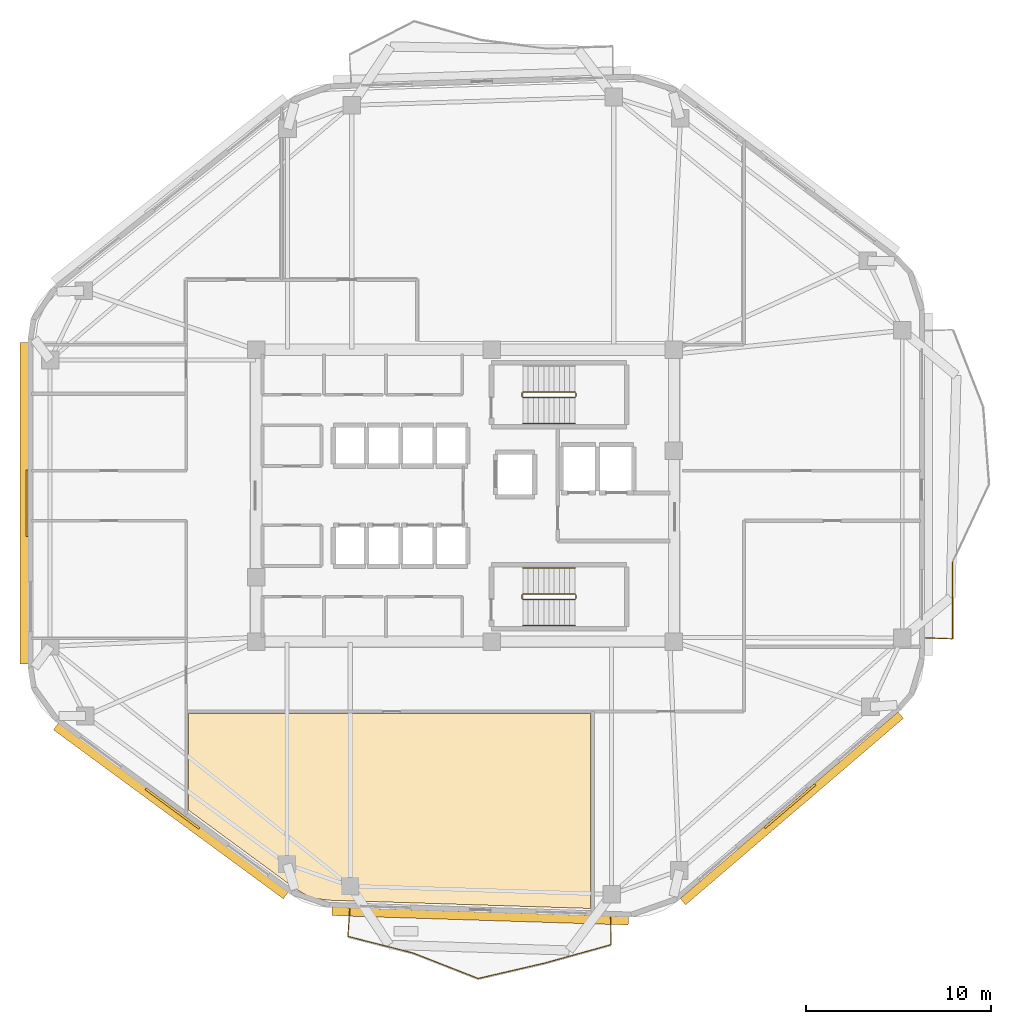
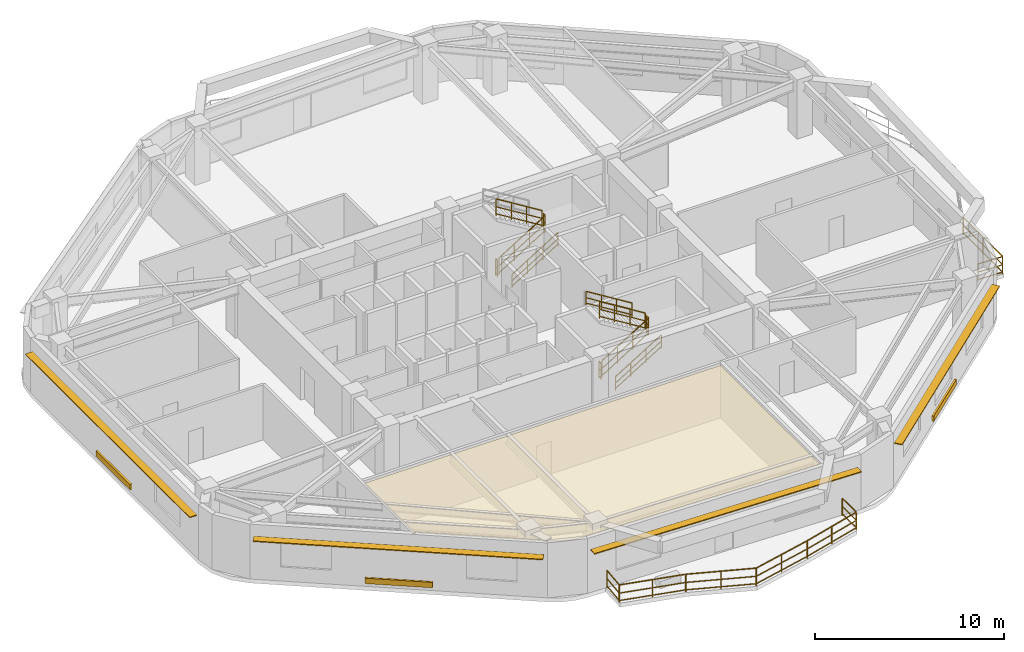
# One storey, part 7 of 8: 19 railings, 7 shading devices, 1 covering.
"""IFC4 building model written with IfcOpenShell, lengths in metres."""

import ifcopenshell
import ifcopenshell.guid

model = None  # the IFC model being written
_history = None  # IfcOwnerHistory: only IFC2X3 demands one
_inside = {}  # id of a spatial element -> (the spatial element, [elements in it])
_under = {}  # id of a project, library or spatial element -> (it, [spatial elements below it])
_declared = {}  # id of a project -> (the project, [libraries it declares])
_typed = {}  # id of a type object -> (the type object, [elements of that type])
_made_of = {}  # id of a material, layer set ... -> (it, [elements and type objects made of it])


def new_model(schema):
    """Start an empty IFC model of exactly this schema.

    Asked for "IFC4X3", IfcOpenShell would pick the latest addendum, in which some entities
    have other attributes; the version numbers below select the first issue.
    IFC2X3 requires an IfcOwnerHistory on every rooted entity: one is made here for all.
    """
    global model, _history
    if schema == "IFC4X3":
        model = ifcopenshell.file(schema_version=(4, 3, 0, 0))
    else:
        model = ifcopenshell.file(schema=schema)
    _inside.clear()
    _under.clear()
    _declared.clear()
    _typed.clear()
    _made_of.clear()
    _history = None
    if model.schema == "IFC2X3":
        org = make("IfcOrganization", Name="unknown")
        user = make(
            "IfcPersonAndOrganization",
            ThePerson=make("IfcPerson", FamilyName="unknown"),
            TheOrganization=org,
        )
        app = make(
            "IfcApplication",
            ApplicationDeveloper=org,
            Version="unknown",
            ApplicationFullName="unknown",
            ApplicationIdentifier="unknown",
        )
        _history = make(
            "IfcOwnerHistory",
            OwningUser=user,
            OwningApplication=app,
            ChangeAction="ADDED",
            CreationDate=0,
        )
    return model


def make(cls, **values):
    """One entity of the class cls with the attributes given. An attribute that is None is left unset."""
    return model.create_entity(
        cls, **{name: value for name, value in values.items() if value is not None}
    )


def rooted(cls, **values):
    """An entity with a GlobalId (a new one), such as an element, a storey or a relation."""
    return make(cls, GlobalId=ifcopenshell.guid.new(), OwnerHistory=_history, **values)


def si_unit(unit_type, name, prefix=None):
    """IfcSIUnit, for example si_unit("LENGTHUNIT", "METRE", prefix="MILLI")."""
    return make("IfcSIUnit", UnitType=unit_type, Prefix=prefix, Name=name)


def assignment(units):
    """IfcUnitAssignment: the units of a project."""
    return None if units is None else make("IfcUnitAssignment", Units=units)


def point(xyz):
    """IfcCartesianPoint."""
    return None if xyz is None else make("IfcCartesianPoint", Coordinates=xyz)


def direction(xyz):
    """IfcDirection."""
    return None if xyz is None else make("IfcDirection", DirectionRatios=xyz)


def frame(location, z_axis=None, x_axis=None):
    """IfcAxis2Placement3D, a coordinate frame: its origin and axes. An axis left out is left unset."""
    return make(
        "IfcAxis2Placement3D",
        Location=point(location),
        Axis=direction(z_axis),
        RefDirection=direction(x_axis),
    )


def frame_2d(location, x_axis=None):
    """IfcAxis2Placement2D, a coordinate frame in the plane: its origin and x axis."""
    return make(
        "IfcAxis2Placement2D", Location=point(location), RefDirection=direction(x_axis)
    )


def origin():
    """The frame at (0, 0, 0) with its axes left unset."""
    return frame((0.0, 0.0, 0.0))


def origin_2d():
    """The frame at (0, 0) in the plane with its x axis left unset."""
    return frame_2d((0.0, 0.0))


def place(relative_to, where):
    """IfcLocalPlacement: puts the frame where relative to a parent placement (None: the world)."""
    return make(
        "IfcLocalPlacement", PlacementRelTo=relative_to, RelativePlacement=where
    )


def context(
    kind, dimensions, precision=None, world=None, true_north=None, identifier=None
):
    """IfcGeometricRepresentationContext, for example the 3D "Model" context."""
    return make(
        "IfcGeometricRepresentationContext",
        ContextIdentifier=identifier,
        ContextType=kind,
        CoordinateSpaceDimension=dimensions,
        Precision=precision,
        WorldCoordinateSystem=world,
        TrueNorth=true_north,
    )


def subcontext(parent, identifier, kind, view, scale=None):
    """IfcGeometricRepresentationSubContext, for example "Body" below "Model"."""
    return make(
        "IfcGeometricRepresentationSubContext",
        ContextIdentifier=identifier,
        ContextType=kind,
        ParentContext=parent,
        TargetScale=scale,
        TargetView=view,
    )


def project(units=None, contexts=None):
    """IfcProject with its units and contexts."""
    return rooted(
        "IfcProject",
        Name="project",
        RepresentationContexts=contexts,
        UnitsInContext=assignment(units),
    )


def spatial(cls, under=None, at=None, **own):
    """A site, building, storey or space (cls), placed at a placement, below another one or the project."""
    s = rooted(cls, ObjectPlacement=at, **own)
    if under is not None:
        _under.setdefault(under.id(), (under, []))[1].append(s)
    return s


def polyline(points):
    """IfcPolyline through the points."""
    return make("IfcPolyline", Points=[point(p) for p in points])


def profile(cls, at=None, kind="AREA", **sizes):
    """A parametric profile (cls). Its sizes go by their IFC names, for example OverallWidth=200.0."""
    return make(cls, ProfileType=kind, Position=at, **sizes)


def rectangle(**sizes):
    """IfcRectangleProfileDef."""
    return profile("IfcRectangleProfileDef", **sizes)


def outline(outer, holes=None, kind="AREA"):
    """IfcArbitraryClosedProfileDef: a profile drawn as a closed curve; with holes, ...WithVoids."""
    if holes is None:
        return make("IfcArbitraryClosedProfileDef", ProfileType=kind, OuterCurve=outer)
    return make(
        "IfcArbitraryProfileDefWithVoids",
        ProfileType=kind,
        OuterCurve=outer,
        InnerCurves=holes,
    )


def extrude(swept, where, along, depth):
    """IfcExtrudedAreaSolid: the profile swept, set in the frame where, extruded along a direction by depth."""
    return make(
        "IfcExtrudedAreaSolid",
        SweptArea=swept,
        Position=where,
        ExtrudedDirection=direction(along),
        Depth=depth,
    )


def shape(context_of_items, identifier, shape_type, items):
    """IfcShapeRepresentation: the items that make up one representation, for example the "Body"."""
    return make(
        "IfcShapeRepresentation",
        ContextOfItems=context_of_items,
        RepresentationIdentifier=identifier,
        RepresentationType=shape_type,
        Items=items,
    )


def material(Name=None, Category=None):
    """IfcMaterial."""
    return make("IfcMaterial", Name=Name, Category=Category)


def layer(
    of_material, thickness, ventilated=None, Name=None, Category=None, Priority=None
):
    """IfcMaterialLayer: one layer of a wall or slab, of a material (None: an air gap)."""
    return make(
        "IfcMaterialLayer",
        Material=of_material,
        LayerThickness=thickness,
        IsVentilated=ventilated,
        Name=Name,
        Category=Category,
        Priority=Priority,
    )


def layer_set(layers, Name=None):
    """IfcMaterialLayerSet."""
    return make("IfcMaterialLayerSet", MaterialLayers=layers, LayerSetName=Name)


def made_of(thing, what):
    """Note that an element or type object is made of a material, layer set ...; save() writes the relation."""
    if what is not None:
        _made_of.setdefault(what.id(), (what, []))[1].append(thing)
    return thing


def type_object(cls, material=None, **own):
    """A type object (cls), such as IfcWallType, which elements share."""
    return made_of(rooted(cls, **own), material)


def element(
    cls,
    number,
    at=None,
    inside=None,
    cuts=None,
    type_object=None,
    material=None,
    context=None,
    identifier="Body",
    shape_type=None,
    held_by="IfcProductDefinitionShape",
    body=None,
    shapes=None,
    **own,
):
    """One element of the class cls, such as IfcWall. Its Tag is "e" and its number.

    at: its placement. inside: the storey or other place that contains it. cuts: it is an
    opening in that element (IfcRelVoidsElement). A single representation is given by context,
    identifier, shape_type and body (its items); several are given by shapes. held_by: the class
    of the entity that holds the representations. save() writes the other relations.
    """
    e = rooted(cls, Tag="e%d" % number, ObjectPlacement=at, **own)
    if body is not None:
        shapes = [shape(context, identifier, shape_type, body)]
    if shapes is not None:
        e.Representation = make(held_by, Representations=shapes)
    if inside is not None:
        _inside.setdefault(inside.id(), (inside, []))[1].append(e)
    if cuts is not None:
        rooted(
            "IfcRelVoidsElement", RelatingBuildingElement=cuts, RelatedOpeningElement=e
        )
    if type_object is not None:
        _typed.setdefault(type_object.id(), (type_object, []))[1].append(e)
    return made_of(e, material)


def aggregate(whole, parts):
    """IfcRelAggregates: a whole, such as a stair, and the parts it consists of."""
    return rooted("IfcRelAggregates", RelatingObject=whole, RelatedObjects=parts)


def save(model, path):
    """Write the relations noted so far, then the file.

    IfcRelAggregates (storeys below a building ...), IfcRelContainedInSpatialStructure (elements
    in a storey), IfcRelDefinesByType, IfcRelAssociatesMaterial and IfcRelDeclares: one each for
    every whole, place, type object, material and project.
    """
    for whole, parts in _under.values():
        aggregate(whole, parts)
    for where, things in _inside.values():
        rooted(
            "IfcRelContainedInSpatialStructure",
            RelatedElements=things,
            RelatingStructure=where,
        )
    for kind, things in _typed.values():
        rooted("IfcRelDefinesByType", RelatedObjects=things, RelatingType=kind)
    for what, things in _made_of.values():
        rooted("IfcRelAssociatesMaterial", RelatedObjects=things, RelatingMaterial=what)
    for by, libraries in _declared.values():
        rooted("IfcRelDeclares", RelatingContext=by, RelatedDefinitions=libraries)
    model.write(path)


model = new_model("IFC4")

# Units and contexts
model_context = context("Model", 3, precision=1e-05, world=origin(), true_north=direction((0.0, 1.0)))
body_context = subcontext(model_context, "Body", "Model", "MODEL_VIEW")
ifc_project = project(units=[si_unit("LENGTHUNIT", "METRE"), si_unit("AREAUNIT", "SQUARE_METRE"), si_unit("VOLUMEUNIT", "CUBIC_METRE"), si_unit("PLANEANGLEUNIT", "RADIAN"), si_unit("MASSUNIT", "GRAM", prefix="KILO")], contexts=[model_context])

# Site, building, storey
site_placement = place(None, origin())
site = spatial("IfcSite", under=ifc_project, at=site_placement, CompositionType="ELEMENT")
building_placement = place(site_placement, origin())
building = spatial("IfcBuilding", under=site, at=building_placement, Name="Zulverin Broadcast Headquarters", CompositionType="ELEMENT")
storey_placement = place(building_placement, frame((0.0, 0.0, 163.0)))
storey = spatial("IfcBuildingStorey", under=building, at=storey_placement, Name="L41", CompositionType="ELEMENT", Elevation=163.0)

# Covering
ifc_material_1 = material(Name="Perforated pale-metal acoustic baffle ceiling", Category="aluminium")
ifc_layer_1 = layer(ifc_material_1, 0.0400390625, Name="Perforated pale-metal acoustic baffle ceiling", Category="aluminium")
ifc_layer_set_1 = layer_set([ifc_layer_1], Name="Perforated pale-metal acoustic baffle ceiling")
covering_type = type_object("IfcCoveringType", Name="COV-CEIL-ACOU", PredefinedType="CEILING", material=ifc_layer_set_1)
covering_placement = place(storey_placement, frame((0.0, 0.0, 3.360107421875)))
element("IfcCovering", 1, at=covering_placement, inside=storey, type_object=covering_type, Name="L41 Acoustic Baffle Ceiling 03", PredefinedType="CEILING", context=body_context, shape_type="SweptSolid", body=[
    extrude(outline(polyline([(28.39599609375, 3.659912109375), (29.0, 3.447998046875), (29.652099609375, 3.364013671875), (43.780029296875, 2.916015625), (43.780029296875, 13.431884765625), (22.072021484375, 13.431884765625), (22.072021484375, 8.22412109375), (27.823974609375, 3.99609375), (28.39599609375, 3.659912109375)])), origin(), (0.0, 0.0, 1.0), 0.039794921875),
])

# Railings
ifc_material_2 = material(Name="Brushed stainless steel & laminated glass balustrade", Category="steel")
railing_type_1 = type_object("IfcRailingType", Name="RL-GUARD-1150", PredefinedType="GUARDRAIL", material=ifc_material_2)
railing_1_placement = place(storey_placement, frame((61.840087890625, 17.529296875, 0.0)))
element("IfcRailing", 2, at=railing_1_placement, inside=storey, type_object=railing_type_1, Name="L41 Vertical-Forest Balcony Guardrail BAL_E Segment 01", PredefinedType="GUARDRAIL", context=body_context, shape_type="SweptSolid", body=[
    extrude(rectangle(XDim=0.048095703125, YDim=0.048095703125, at=origin_2d()), frame((0.0, 0.0, 1.1259765625), z_axis=(0.99918088253, -0.040466825742, 0.0), x_axis=(0.040466825742, 0.99918088253, 0.0)), (0.0, 0.0, 1.0), 1.466064453125),
    extrude(rectangle(XDim=0.0419921875, YDim=0.0419921875, at=origin_2d()), frame((0.0, 0.0, 0.597900390625), z_axis=(0.99918088253, -0.040466825742, 0.0), x_axis=(0.040466825742, 0.99918088253, 0.0)), (0.0, 0.0, 1.0), 1.466064453125),
    extrude(rectangle(XDim=0.0419921875, YDim=0.0419921875, at=origin_2d()), frame((0.0, 0.0, 0.1201171875), z_axis=(0.99918088253, -0.040466825742, 0.0), x_axis=(0.040466825742, 0.99918088253, 0.0)), (0.0, 0.0, 1.0), 1.466064453125),
    extrude(rectangle(XDim=0.0419921875, YDim=0.0419921875, at=origin_2d()), origin(), (0.0, 0.0, 1.0), 1.101806640625),
    extrude(rectangle(XDim=0.0419921875, YDim=0.0419921875, at=origin_2d()), frame((1.46484375, -0.059326171875, 0.0)), (0.0, 0.0, 1.0), 1.101806640625),
])
railing_2_placement = place(storey_placement, frame((63.320068359375, 17.484375, 0.0)))
element("IfcRailing", 3, at=railing_2_placement, inside=storey, type_object=railing_type_1, Name="L41 Vertical-Forest Balcony Guardrail BAL_E Segment 02", PredefinedType="GUARDRAIL", context=body_context, shape_type="SweptSolid", body=[
    extrude(rectangle(XDim=0.048095703125, YDim=0.048095703125, at=origin_2d()), frame((0.0, 0.0, 1.1259765625), z_axis=(0.0, 1.0, 0.0), x_axis=(-1.0, 0.0, 0.0)), (0.0, 0.0, 1.0), 4.1455078125),
    extrude(rectangle(XDim=0.0419921875, YDim=0.0419921875, at=origin_2d()), frame((0.0, 0.0, 0.597900390625), z_axis=(0.0, 1.0, 0.0), x_axis=(-1.0, 0.0, 0.0)), (0.0, 0.0, 1.0), 4.1455078125),
    extrude(rectangle(XDim=0.0419921875, YDim=0.0419921875, at=origin_2d()), frame((0.0, 0.0, 0.1201171875), z_axis=(0.0, 1.0, 0.0), x_axis=(-1.0, 0.0, 0.0)), (0.0, 0.0, 1.0), 4.1455078125),
    extrude(rectangle(XDim=0.0419921875, YDim=0.0419921875, at=origin_2d()), origin(), (0.0, 0.0, 1.0), 1.101806640625),
    extrude(rectangle(XDim=0.0419921875, YDim=0.0419921875, at=origin_2d()), frame((0.0, 2.07275390625, 0.0)), (0.0, 0.0, 1.0), 1.101806640625),
    extrude(rectangle(XDim=0.0419921875, YDim=0.0419921875, at=origin_2d()), frame((0.0, 4.1455078125, 0.0)), (0.0, 0.0, 1.0), 1.101806640625),
])
railing_3_placement = place(storey_placement, frame((30.779296875, 2.8876953125, 0.0)))
element("IfcRailing", 4, at=railing_3_placement, inside=storey, type_object=railing_type_1, Name="L41 Vertical-Forest Balcony Guardrail BAL_S Segment 01", PredefinedType="GUARDRAIL", context=body_context, shape_type="SweptSolid", body=[
    extrude(rectangle(XDim=0.048095703125, YDim=0.048095703125, at=origin_2d()), frame((0.0, 0.0, 1.1259765625), z_axis=(-0.072276661537, -0.997384621997, 0.0), x_axis=(0.997384621997, -0.072276661537, 0.0)), (0.0, 0.0, 1.0), 1.466064453125),
    extrude(rectangle(XDim=0.0419921875, YDim=0.0419921875, at=origin_2d()), frame((0.0, 0.0, 0.597900390625), z_axis=(-0.072276661537, -0.997384621997, 0.0), x_axis=(0.997384621997, -0.072276661537, 0.0)), (0.0, 0.0, 1.0), 1.466064453125),
    extrude(rectangle(XDim=0.0419921875, YDim=0.0419921875, at=origin_2d()), frame((0.0, 0.0, 0.1201171875), z_axis=(-0.072276661537, -0.997384621997, 0.0), x_axis=(0.997384621997, -0.072276661537, 0.0)), (0.0, 0.0, 1.0), 1.466064453125),
    extrude(rectangle(XDim=0.0419921875, YDim=0.0419921875, at=origin_2d()), origin(), (0.0, 0.0, 1.0), 1.101806640625),
    extrude(rectangle(XDim=0.0419921875, YDim=0.0419921875, at=origin_2d()), frame((-0.10595703125, -1.462158203125, 0.0)), (0.0, 0.0, 1.0), 1.101806640625),
])
railing_4_placement = place(storey_placement, frame((30.686767578125, 1.40673828125, 0.0)))
element("IfcRailing", 5, at=railing_4_placement, inside=storey, type_object=railing_type_1, Name="L41 Vertical-Forest Balcony Guardrail BAL_S Segment 02", PredefinedType="GUARDRAIL", context=body_context, shape_type="SweptSolid", body=[
    extrude(rectangle(XDim=0.048095703125, YDim=0.048095703125, at=origin_2d()), frame((0.0, 0.0, 1.1259765625), z_axis=(0.968892172976, -0.247483246194, 0.0), x_axis=(0.247483246194, 0.968892172976, 0.0)), (0.0, 0.0, 1.0), 3.608642578125),
    extrude(rectangle(XDim=0.0419921875, YDim=0.0419921875, at=origin_2d()), frame((0.0, 0.0, 0.597900390625), z_axis=(0.968892172976, -0.247483246194, 0.0), x_axis=(0.247483246194, 0.968892172976, 0.0)), (0.0, 0.0, 1.0), 3.608642578125),
    extrude(rectangle(XDim=0.0419921875, YDim=0.0419921875, at=origin_2d()), frame((0.0, 0.0, 0.1201171875), z_axis=(0.968892172976, -0.247483246194, 0.0), x_axis=(0.247483246194, 0.968892172976, 0.0)), (0.0, 0.0, 1.0), 3.608642578125),
    extrude(rectangle(XDim=0.0419921875, YDim=0.0419921875, at=origin_2d()), origin(), (0.0, 0.0, 1.0), 1.101806640625),
    extrude(rectangle(XDim=0.0419921875, YDim=0.0419921875, at=origin_2d()), frame((1.748046875, -0.446533203125, 0.0)), (0.0, 0.0, 1.0), 1.101806640625),
    extrude(rectangle(XDim=0.0419921875, YDim=0.0419921875, at=origin_2d()), frame((3.496337890625, -0.89306640625, 0.0)), (0.0, 0.0, 1.0), 1.101806640625),
])
railing_5_placement = place(storey_placement, frame((34.211669921875, 0.50439453125, 0.0)))
element("IfcRailing", 6, at=railing_5_placement, inside=storey, type_object=railing_type_1, Name="L41 Vertical-Forest Balcony Guardrail BAL_S Segment 03", PredefinedType="GUARDRAIL", context=body_context, shape_type="SweptSolid", body=[
    extrude(rectangle(XDim=0.048095703125, YDim=0.048095703125, at=origin_2d()), frame((0.0, 0.0, 1.1259765625), z_axis=(0.931246632898, -0.364389501381, 0.0), x_axis=(0.364389501381, 0.931246632898, 0.0)), (0.0, 0.0, 1.0), 3.7392578125),
    extrude(rectangle(XDim=0.0419921875, YDim=0.0419921875, at=origin_2d()), frame((0.0, 0.0, 0.597900390625), z_axis=(0.931246632898, -0.364389501381, 0.0), x_axis=(0.364389501381, 0.931246632898, 0.0)), (0.0, 0.0, 1.0), 3.7392578125),
    extrude(rectangle(XDim=0.0419921875, YDim=0.0419921875, at=origin_2d()), frame((0.0, 0.0, 0.1201171875), z_axis=(0.931246632898, -0.364389501381, 0.0), x_axis=(0.364389501381, 0.931246632898, 0.0)), (0.0, 0.0, 1.0), 3.7392578125),
    extrude(rectangle(XDim=0.0419921875, YDim=0.0419921875, at=origin_2d()), origin(), (0.0, 0.0, 1.0), 1.101806640625),
    extrude(rectangle(XDim=0.0419921875, YDim=0.0419921875, at=origin_2d()), frame((1.7412109375, -0.68115234375, 0.0)), (0.0, 0.0, 1.0), 1.101806640625),
    extrude(rectangle(XDim=0.0419921875, YDim=0.0419921875, at=origin_2d()), frame((3.482177734375, -1.362548828125, 0.0)), (0.0, 0.0, 1.0), 1.101806640625),
])
railing_6_placement = place(storey_placement, frame((37.722412109375, -0.8603515625, 0.0)))
element("IfcRailing", 7, at=railing_6_placement, inside=storey, type_object=railing_type_1, Name="L41 Vertical-Forest Balcony Guardrail BAL_S Segment 04", PredefinedType="GUARDRAIL", context=body_context, shape_type="SweptSolid", body=[
    extrude(rectangle(XDim=0.048095703125, YDim=0.048095703125, at=origin_2d()), frame((0.0, 0.0, 1.1259765625), z_axis=(0.974134331739, 0.225969696479, 0.0), x_axis=(-0.225969696479, 0.974134331739, 0.0)), (0.0, 0.0, 1.0), 3.645263671875),
    extrude(rectangle(XDim=0.0419921875, YDim=0.0419921875, at=origin_2d()), frame((0.0, 0.0, 0.597900390625), z_axis=(0.974134331739, 0.225969696479, 0.0), x_axis=(-0.225969696479, 0.974134331739, 0.0)), (0.0, 0.0, 1.0), 3.645263671875),
    extrude(rectangle(XDim=0.0419921875, YDim=0.0419921875, at=origin_2d()), frame((0.0, 0.0, 0.1201171875), z_axis=(0.974134331739, 0.225969696479, 0.0), x_axis=(-0.225969696479, 0.974134331739, 0.0)), (0.0, 0.0, 1.0), 3.645263671875),
    extrude(rectangle(XDim=0.0419921875, YDim=0.0419921875, at=origin_2d()), origin(), (0.0, 0.0, 1.0), 1.101806640625),
    extrude(rectangle(XDim=0.0419921875, YDim=0.0419921875, at=origin_2d()), frame((1.775390625, 0.411865234375, 0.0)), (0.0, 0.0, 1.0), 1.101806640625),
    extrude(rectangle(XDim=0.0419921875, YDim=0.0419921875, at=origin_2d()), frame((3.551025390625, 0.82373046875, 0.0)), (0.0, 0.0, 1.0), 1.101806640625),
])
railing_7_placement = place(storey_placement, frame((41.302490234375, -0.029296875, 0.0)))
element("IfcRailing", 8, at=railing_7_placement, inside=storey, type_object=railing_type_1, Name="L41 Vertical-Forest Balcony Guardrail BAL_S Segment 05", PredefinedType="GUARDRAIL", context=body_context, shape_type="SweptSolid", body=[
    extrude(rectangle(XDim=0.048095703125, YDim=0.048095703125, at=origin_2d()), frame((0.0, 0.0, 1.1259765625), z_axis=(0.963694935876, 0.267005750065, 0.0), x_axis=(-0.267005750065, 0.963694935876, 0.0)), (0.0, 0.0, 1.0), 3.6904296875),
    extrude(rectangle(XDim=0.0419921875, YDim=0.0419921875, at=origin_2d()), frame((0.0, 0.0, 0.597900390625), z_axis=(0.963694935876, 0.267005750065, 0.0), x_axis=(-0.267005750065, 0.963694935876, 0.0)), (0.0, 0.0, 1.0), 3.6904296875),
    extrude(rectangle(XDim=0.0419921875, YDim=0.0419921875, at=origin_2d()), frame((0.0, 0.0, 0.1201171875), z_axis=(0.963694935876, 0.267005750065, 0.0), x_axis=(-0.267005750065, 0.963694935876, 0.0)), (0.0, 0.0, 1.0), 3.6904296875),
    extrude(rectangle(XDim=0.0419921875, YDim=0.0419921875, at=origin_2d()), origin(), (0.0, 0.0, 1.0), 1.101806640625),
    extrude(rectangle(XDim=0.0419921875, YDim=0.0419921875, at=origin_2d()), frame((1.7783203125, 0.49267578125, 0.0)), (0.0, 0.0, 1.0), 1.101806640625),
    extrude(rectangle(XDim=0.0419921875, YDim=0.0419921875, at=origin_2d()), frame((3.556396484375, 0.9853515625, 0.0)), (0.0, 0.0, 1.0), 1.101806640625),
])
railing_8_placement = place(storey_placement, frame((44.873291015625, 0.97509765625, 0.0)))
element("IfcRailing", 9, at=railing_8_placement, inside=storey, type_object=railing_type_1, Name="L41 Vertical-Forest Balcony Guardrail BAL_S Segment 06", PredefinedType="GUARDRAIL", context=body_context, shape_type="SweptSolid", body=[
    extrude(rectangle(XDim=0.048095703125, YDim=0.048095703125, at=origin_2d()), frame((0.0, 0.0, 1.1259765625), z_axis=(-0.008659125807, 0.999962509067, 0.0), x_axis=(-0.999962509067, -0.008659125807, 0.0)), (0.0, 0.0, 1.0), 1.466064453125),
    extrude(rectangle(XDim=0.0419921875, YDim=0.0419921875, at=origin_2d()), frame((0.0, 0.0, 0.597900390625), z_axis=(-0.008659125807, 0.999962509067, 0.0), x_axis=(-0.999962509067, -0.008659125807, 0.0)), (0.0, 0.0, 1.0), 1.466064453125),
    extrude(rectangle(XDim=0.0419921875, YDim=0.0419921875, at=origin_2d()), frame((0.0, 0.0, 0.1201171875), z_axis=(-0.008659125807, 0.999962509067, 0.0), x_axis=(-0.999962509067, -0.008659125807, 0.0)), (0.0, 0.0, 1.0), 1.466064453125),
    extrude(rectangle(XDim=0.0419921875, YDim=0.0419921875, at=origin_2d()), origin(), (0.0, 0.0, 1.0), 1.101806640625),
    extrude(rectangle(XDim=0.0419921875, YDim=0.0419921875, at=origin_2d()), frame((-0.0126953125, 1.466064453125, 0.0)), (0.0, 0.0, 1.0), 1.101806640625),
])
ifc_material_3 = material(Name="Painted galvanized steel tubular guardrail S355JR", Category="steel")
railing_type_2 = type_object("IfcRailingType", Name="RL-ST-GUARD", PredefinedType="GUARDRAIL", material=ifc_material_3)
railing_9_placement = place(storey_placement, frame((40.1298828125, 30.5, 0.172607421875)))
element("IfcRailing", 10, at=railing_9_placement, inside=storey, type_object=railing_type_2, Name="L41 ST-1 stair guard 1", PredefinedType="GUARDRAIL", context=body_context, shape_type="SweptSolid", body=[
    extrude(rectangle(XDim=0.048095703125, YDim=0.048095703125, at=origin_2d()), frame((0.0, 0.0, 1.076171875), z_axis=(0.851089632645, 0.0, 0.525020415988), x_axis=(0.0, 1.0, 0.0)), (0.0, 0.0, 1.0), 3.2900390625),
    extrude(rectangle(XDim=0.0419921875, YDim=0.0419921875, at=origin_2d()), frame((0.0, 0.0, 0.572021484375), z_axis=(0.851089632645, 0.0, 0.525020415988), x_axis=(0.0, 1.0, 0.0)), (0.0, 0.0, 1.0), 3.2900390625),
    extrude(rectangle(XDim=0.0419921875, YDim=0.0419921875, at=origin_2d()), frame((0.0, 0.0, 0.1201171875), z_axis=(0.851089632645, 0.0, 0.525020415988), x_axis=(0.0, 1.0, 0.0)), (0.0, 0.0, 1.0), 3.2900390625),
    extrude(rectangle(XDim=0.0419921875, YDim=0.0419921875, at=origin_2d()), origin(), (0.0, 0.0, 1.0), 1.052001953125),
    extrude(rectangle(XDim=0.0419921875, YDim=0.0419921875, at=origin_2d()), frame((0.933349609375, 0.0, 0.57568359375)), (0.0, 0.0, 1.0), 1.052001953125),
    extrude(rectangle(XDim=0.0419921875, YDim=0.0419921875, at=origin_2d()), frame((1.86669921875, 0.0, 1.151611328125)), (0.0, 0.0, 1.0), 1.052001953125),
    extrude(rectangle(XDim=0.0419921875, YDim=0.0419921875, at=origin_2d()), frame((2.800048828125, 0.0, 1.727294921875)), (0.0, 0.0, 1.0), 1.052001953125),
])
railing_10_placement = place(storey_placement, frame((42.97998046875, 30.550048828125, 1.89990234375)))
element("IfcRailing", 11, at=railing_10_placement, inside=storey, type_object=railing_type_2, Name="L41 ST-1 stair guard 2", PredefinedType="GUARDRAIL", context=body_context, shape_type="SweptSolid", body=[
    extrude(rectangle(XDim=0.048095703125, YDim=0.048095703125, at=origin_2d()), frame((0.0, 0.0, 1.076171875), z_axis=(0.0, 1.0, 0.0), x_axis=(-1.0, 0.0, 0.0)), (0.0, 0.0, 1.0), 0.199951171875),
    extrude(rectangle(XDim=0.0419921875, YDim=0.0419921875, at=origin_2d()), frame((0.0, 0.0, 0.572021484375), z_axis=(0.0, 1.0, 0.0), x_axis=(-1.0, 0.0, 0.0)), (0.0, 0.0, 1.0), 0.199951171875),
    extrude(rectangle(XDim=0.0419921875, YDim=0.0419921875, at=origin_2d()), frame((0.0, 0.0, 0.1201171875), z_axis=(0.0, 1.0, 0.0), x_axis=(-1.0, 0.0, 0.0)), (0.0, 0.0, 1.0), 0.199951171875),
    extrude(rectangle(XDim=0.0419921875, YDim=0.0419921875, at=origin_2d()), origin(), (0.0, 0.0, 1.0), 1.052001953125),
    extrude(rectangle(XDim=0.0419921875, YDim=0.0419921875, at=origin_2d()), frame((0.0, 0.199951171875, 0.0)), (0.0, 0.0, 1.0), 1.052001953125),
])
railing_11_placement = place(storey_placement, frame((42.929931640625, 30.800048828125, 2.07275390625)))
element("IfcRailing", 12, at=railing_11_placement, inside=storey, type_object=railing_type_2, Name="L41 ST-1 stair guard 3", PredefinedType="GUARDRAIL", context=body_context, shape_type="SweptSolid", body=[
    extrude(rectangle(XDim=0.048095703125, YDim=0.048095703125, at=origin_2d()), frame((0.0, 0.0, 1.076171875), z_axis=(-0.851089632645, 0.0, 0.525020415988), x_axis=(0.0, -1.0, 0.0)), (0.0, 0.0, 1.0), 3.2900390625),
    extrude(rectangle(XDim=0.0419921875, YDim=0.0419921875, at=origin_2d()), frame((0.0, 0.0, 0.572021484375), z_axis=(-0.851089632645, 0.0, 0.525020415988), x_axis=(0.0, -1.0, 0.0)), (0.0, 0.0, 1.0), 3.2900390625),
    extrude(rectangle(XDim=0.0419921875, YDim=0.0419921875, at=origin_2d()), frame((0.0, 0.0, 0.1201171875), z_axis=(-0.851089632645, 0.0, 0.525020415988), x_axis=(0.0, -1.0, 0.0)), (0.0, 0.0, 1.0), 3.2900390625),
    extrude(rectangle(XDim=0.0419921875, YDim=0.0419921875, at=origin_2d()), origin(), (0.0, 0.0, 1.0), 1.052001953125),
    extrude(rectangle(XDim=0.0419921875, YDim=0.0419921875, at=origin_2d()), frame((-0.933349609375, 0.0, 0.57568359375)), (0.0, 0.0, 1.0), 1.052001953125),
    extrude(rectangle(XDim=0.0419921875, YDim=0.0419921875, at=origin_2d()), frame((-1.86669921875, 0.0, 1.151611328125)), (0.0, 0.0, 1.0), 1.052001953125),
    extrude(rectangle(XDim=0.0419921875, YDim=0.0419921875, at=origin_2d()), frame((-2.800048828125, 0.0, 1.727294921875)), (0.0, 0.0, 1.0), 1.052001953125),
])
railing_12_placement = place(storey_placement, frame((40.080078125, 30.550048828125, 0.0)))
element("IfcRailing", 13, at=railing_12_placement, inside=storey, type_object=railing_type_2, Name="L41 ST-1 stair guard 4", PredefinedType="GUARDRAIL", context=body_context, shape_type="SweptSolid", body=[
    extrude(rectangle(XDim=0.048095703125, YDim=0.048095703125, at=origin_2d()), frame((0.0, 0.0, 1.076171875), z_axis=(0.0, 1.0, 0.0), x_axis=(-1.0, 0.0, 0.0)), (0.0, 0.0, 1.0), 0.199951171875),
    extrude(rectangle(XDim=0.0419921875, YDim=0.0419921875, at=origin_2d()), frame((0.0, 0.0, 0.572021484375), z_axis=(0.0, 1.0, 0.0), x_axis=(-1.0, 0.0, 0.0)), (0.0, 0.0, 1.0), 0.199951171875),
    extrude(rectangle(XDim=0.0419921875, YDim=0.0419921875, at=origin_2d()), frame((0.0, 0.0, 0.1201171875), z_axis=(0.0, 1.0, 0.0), x_axis=(-1.0, 0.0, 0.0)), (0.0, 0.0, 1.0), 0.199951171875),
    extrude(rectangle(XDim=0.0419921875, YDim=0.0419921875, at=origin_2d()), origin(), (0.0, 0.0, 1.0), 1.052001953125),
    extrude(rectangle(XDim=0.0419921875, YDim=0.0419921875, at=origin_2d()), frame((0.0, 0.199951171875, 0.0)), (0.0, 0.0, 1.0), 1.052001953125),
])
railing_13_placement = place(storey_placement, frame((40.1298828125, 19.60009765625, 0.172607421875)))
element("IfcRailing", 14, at=railing_13_placement, inside=storey, type_object=railing_type_2, Name="L41 ST-2 stair guard 1", PredefinedType="GUARDRAIL", context=body_context, shape_type="SweptSolid", body=[
    extrude(rectangle(XDim=0.048095703125, YDim=0.048095703125, at=origin_2d()), frame((0.0, 0.0, 1.076171875), z_axis=(0.851089632645, 0.0, 0.525020415988), x_axis=(0.0, 1.0, 0.0)), (0.0, 0.0, 1.0), 3.2900390625),
    extrude(rectangle(XDim=0.0419921875, YDim=0.0419921875, at=origin_2d()), frame((0.0, 0.0, 0.572021484375), z_axis=(0.851089632645, 0.0, 0.525020415988), x_axis=(0.0, 1.0, 0.0)), (0.0, 0.0, 1.0), 3.2900390625),
    extrude(rectangle(XDim=0.0419921875, YDim=0.0419921875, at=origin_2d()), frame((0.0, 0.0, 0.1201171875), z_axis=(0.851089632645, 0.0, 0.525020415988), x_axis=(0.0, 1.0, 0.0)), (0.0, 0.0, 1.0), 3.2900390625),
    extrude(rectangle(XDim=0.0419921875, YDim=0.0419921875, at=origin_2d()), origin(), (0.0, 0.0, 1.0), 1.052001953125),
    extrude(rectangle(XDim=0.0419921875, YDim=0.0419921875, at=origin_2d()), frame((0.933349609375, 0.0, 0.57568359375)), (0.0, 0.0, 1.0), 1.052001953125),
    extrude(rectangle(XDim=0.0419921875, YDim=0.0419921875, at=origin_2d()), frame((1.86669921875, 0.0, 1.151611328125)), (0.0, 0.0, 1.0), 1.052001953125),
    extrude(rectangle(XDim=0.0419921875, YDim=0.0419921875, at=origin_2d()), frame((2.800048828125, 0.0, 1.727294921875)), (0.0, 0.0, 1.0), 1.052001953125),
])
railing_14_placement = place(storey_placement, frame((42.97998046875, 19.64990234375, 1.89990234375)))
element("IfcRailing", 15, at=railing_14_placement, inside=storey, type_object=railing_type_2, Name="L41 ST-2 stair guard 2", PredefinedType="GUARDRAIL", context=body_context, shape_type="SweptSolid", body=[
    extrude(rectangle(XDim=0.048095703125, YDim=0.048095703125, at=origin_2d()), frame((0.0, 0.0, 1.076171875), z_axis=(0.0, 1.0, 0.0), x_axis=(-1.0, 0.0, 0.0)), (0.0, 0.0, 1.0), 0.2001953125),
    extrude(rectangle(XDim=0.0419921875, YDim=0.0419921875, at=origin_2d()), frame((0.0, 0.0, 0.572021484375), z_axis=(0.0, 1.0, 0.0), x_axis=(-1.0, 0.0, 0.0)), (0.0, 0.0, 1.0), 0.2001953125),
    extrude(rectangle(XDim=0.0419921875, YDim=0.0419921875, at=origin_2d()), frame((0.0, 0.0, 0.1201171875), z_axis=(0.0, 1.0, 0.0), x_axis=(-1.0, 0.0, 0.0)), (0.0, 0.0, 1.0), 0.2001953125),
    extrude(rectangle(XDim=0.0419921875, YDim=0.0419921875, at=origin_2d()), origin(), (0.0, 0.0, 1.0), 1.052001953125),
    extrude(rectangle(XDim=0.0419921875, YDim=0.0419921875, at=origin_2d()), frame((0.0, 0.2001953125, 0.0)), (0.0, 0.0, 1.0), 1.052001953125),
])
railing_15_placement = place(storey_placement, frame((42.929931640625, 19.89990234375, 2.07275390625)))
element("IfcRailing", 16, at=railing_15_placement, inside=storey, type_object=railing_type_2, Name="L41 ST-2 stair guard 3", PredefinedType="GUARDRAIL", context=body_context, shape_type="SweptSolid", body=[
    extrude(rectangle(XDim=0.048095703125, YDim=0.048095703125, at=origin_2d()), frame((0.0, 0.0, 1.076171875), z_axis=(-0.851089632645, 0.0, 0.525020415988), x_axis=(0.0, -1.0, 0.0)), (0.0, 0.0, 1.0), 3.2900390625),
    extrude(rectangle(XDim=0.0419921875, YDim=0.0419921875, at=origin_2d()), frame((0.0, 0.0, 0.572021484375), z_axis=(-0.851089632645, 0.0, 0.525020415988), x_axis=(0.0, -1.0, 0.0)), (0.0, 0.0, 1.0), 3.2900390625),
    extrude(rectangle(XDim=0.0419921875, YDim=0.0419921875, at=origin_2d()), frame((0.0, 0.0, 0.1201171875), z_axis=(-0.851089632645, 0.0, 0.525020415988), x_axis=(0.0, -1.0, 0.0)), (0.0, 0.0, 1.0), 3.2900390625),
    extrude(rectangle(XDim=0.0419921875, YDim=0.0419921875, at=origin_2d()), origin(), (0.0, 0.0, 1.0), 1.052001953125),
    extrude(rectangle(XDim=0.0419921875, YDim=0.0419921875, at=origin_2d()), frame((-0.933349609375, 0.0, 0.57568359375)), (0.0, 0.0, 1.0), 1.052001953125),
    extrude(rectangle(XDim=0.0419921875, YDim=0.0419921875, at=origin_2d()), frame((-1.86669921875, 0.0, 1.151611328125)), (0.0, 0.0, 1.0), 1.052001953125),
    extrude(rectangle(XDim=0.0419921875, YDim=0.0419921875, at=origin_2d()), frame((-2.800048828125, 0.0, 1.727294921875)), (0.0, 0.0, 1.0), 1.052001953125),
])
railing_16_placement = place(storey_placement, frame((40.080078125, 19.64990234375, 0.0)))
element("IfcRailing", 17, at=railing_16_placement, inside=storey, type_object=railing_type_2, Name="L41 ST-2 stair guard 4", PredefinedType="GUARDRAIL", context=body_context, shape_type="SweptSolid", body=[
    extrude(rectangle(XDim=0.048095703125, YDim=0.048095703125, at=origin_2d()), frame((0.0, 0.0, 1.076171875), z_axis=(0.0, 1.0, 0.0), x_axis=(-1.0, 0.0, 0.0)), (0.0, 0.0, 1.0), 0.2001953125),
    extrude(rectangle(XDim=0.0419921875, YDim=0.0419921875, at=origin_2d()), frame((0.0, 0.0, 0.572021484375), z_axis=(0.0, 1.0, 0.0), x_axis=(-1.0, 0.0, 0.0)), (0.0, 0.0, 1.0), 0.2001953125),
    extrude(rectangle(XDim=0.0419921875, YDim=0.0419921875, at=origin_2d()), frame((0.0, 0.0, 0.1201171875), z_axis=(0.0, 1.0, 0.0), x_axis=(-1.0, 0.0, 0.0)), (0.0, 0.0, 1.0), 0.2001953125),
    extrude(rectangle(XDim=0.0419921875, YDim=0.0419921875, at=origin_2d()), origin(), (0.0, 0.0, 1.0), 1.052001953125),
    extrude(rectangle(XDim=0.0419921875, YDim=0.0419921875, at=origin_2d()), frame((0.0, 0.2001953125, 0.0)), (0.0, 0.0, 1.0), 1.052001953125),
])
ifc_material_4 = material(Name="Brushed stainless steel 48 mm handrail", Category="steel")
railing_type_3 = type_object("IfcRailingType", Name="RL-ST-HAND", PredefinedType="HANDRAIL", material=ifc_material_4)
for number, where, name in (
    (18, (40.1298828125, 29.10009765625, 0.172607421875), "L41 ST-1 stair handrail 1"),
    (19, (40.1298828125, 18.199951171875, 0.172607421875), "L41 ST-2 stair handrail 1"),
):
    element("IfcRailing", number, at=place(storey_placement, frame(where)), inside=storey, type_object=railing_type_3, Name=name, PredefinedType="HANDRAIL", context=body_context, shape_type="SweptSolid", body=[
        extrude(rectangle(XDim=0.048095703125, YDim=0.048095703125, at=origin_2d()), frame((0.0, 0.0, 0.8759765625), z_axis=(0.851089632645, 0.0, 0.525020415988), x_axis=(0.0, 1.0, 0.0)), (0.0, 0.0, 1.0), 3.2900390625),
        extrude(rectangle(XDim=0.0419921875, YDim=0.0419921875, at=origin_2d()), frame((0.0, 0.0, 0.468017578125), z_axis=(0.851089632645, 0.0, 0.525020415988), x_axis=(0.0, 1.0, 0.0)), (0.0, 0.0, 1.0), 3.2900390625),
        extrude(rectangle(XDim=0.0419921875, YDim=0.0419921875, at=origin_2d()), frame((0.0, 0.0, 0.1201171875), z_axis=(0.851089632645, 0.0, 0.525020415988), x_axis=(0.0, 1.0, 0.0)), (0.0, 0.0, 1.0), 3.2900390625),
        extrude(rectangle(XDim=0.0419921875, YDim=0.0419921875, at=origin_2d()), origin(), (0.0, 0.0, 1.0), 0.851806640625),
        extrude(rectangle(XDim=0.0419921875, YDim=0.0419921875, at=origin_2d()), frame((0.933349609375, 0.0, 0.57568359375)), (0.0, 0.0, 1.0), 0.851806640625),
        extrude(rectangle(XDim=0.0419921875, YDim=0.0419921875, at=origin_2d()), frame((1.86669921875, 0.0, 1.151611328125)), (0.0, 0.0, 1.0), 0.851806640625),
        extrude(rectangle(XDim=0.0419921875, YDim=0.0419921875, at=origin_2d()), frame((2.800048828125, 0.0, 1.727294921875)), (0.0, 0.0, 1.0), 0.851806640625),
    ])
railing_17_placement = place(storey_placement, frame((42.929931640625, 21.300048828125, 2.07275390625)))
element("IfcRailing", 20, at=railing_17_placement, inside=storey, type_object=railing_type_3, Name="L41 ST-2 stair handrail 2", PredefinedType="HANDRAIL", context=body_context, shape_type="SweptSolid", body=[
    extrude(rectangle(XDim=0.048095703125, YDim=0.048095703125, at=origin_2d()), frame((0.0, 0.0, 0.8759765625), z_axis=(-0.851089632645, 0.0, 0.525020415988), x_axis=(0.0, -1.0, 0.0)), (0.0, 0.0, 1.0), 3.2900390625),
    extrude(rectangle(XDim=0.0419921875, YDim=0.0419921875, at=origin_2d()), frame((0.0, 0.0, 0.468017578125), z_axis=(-0.851089632645, 0.0, 0.525020415988), x_axis=(0.0, -1.0, 0.0)), (0.0, 0.0, 1.0), 3.2900390625),
    extrude(rectangle(XDim=0.0419921875, YDim=0.0419921875, at=origin_2d()), frame((0.0, 0.0, 0.1201171875), z_axis=(-0.851089632645, 0.0, 0.525020415988), x_axis=(0.0, -1.0, 0.0)), (0.0, 0.0, 1.0), 3.2900390625),
    extrude(rectangle(XDim=0.0419921875, YDim=0.0419921875, at=origin_2d()), origin(), (0.0, 0.0, 1.0), 0.851806640625),
    extrude(rectangle(XDim=0.0419921875, YDim=0.0419921875, at=origin_2d()), frame((-0.933349609375, 0.0, 0.57568359375)), (0.0, 0.0, 1.0), 0.851806640625),
    extrude(rectangle(XDim=0.0419921875, YDim=0.0419921875, at=origin_2d()), frame((-1.86669921875, 0.0, 1.151611328125)), (0.0, 0.0, 1.0), 0.851806640625),
    extrude(rectangle(XDim=0.0419921875, YDim=0.0419921875, at=origin_2d()), frame((-2.800048828125, 0.0, 1.727294921875)), (0.0, 0.0, 1.0), 0.851806640625),
])

# Shading devices
ifc_material_5 = material(Name="Anodized pale-metal aluminium acoustic louvre", Category="aluminium")
shading_device_type_1 = type_object("IfcShadingDeviceType", Name="SHD-LOUVRE-350", PredefinedType="USERDEFINED", material=ifc_material_5)
for number, where, z_axis, x_axis, name in (
    (21, (54.53466796875, 8.4404296875, 0.244873046875), (0.0, 0.0, 1.0), (0.759706154917, 0.650266528572, 0.0), "L41 Spandrel Intake Louvre 2"),
    (22, (13.360107421875, 24.797607421875, 0.244873046875), (0.0, 0.0, 1.0), (0.0, -1.0, 0.0), "L41 Spandrel Intake Louvre 7"),
    (23, (21.212158203125, 8.309326171875, 0.244873046875), (0.0, 0.0, 1.0), (0.805802206513, -0.592184771822, 0.0), "L41 Spandrel Intake Louvre 8"),
):
    element("IfcShadingDevice", number, at=place(storey_placement, frame(where, z_axis=z_axis, x_axis=x_axis)), inside=storey, type_object=shading_device_type_1, Name=name, ObjectType="LOUVRE", PredefinedType="USERDEFINED", context=body_context, shape_type="SweptSolid", body=[
        extrude(rectangle(XDim=3.60009765625, YDim=0.1201171875, at=origin_2d()), origin(), (0.0, 0.0, 1.0), 0.35009765625),
    ])
ifc_material_6 = material(Name="Anodized pale-metal aluminium sunshade", Category="aluminium")
ifc_layer_2 = layer(ifc_material_6, 0.06005859375, Name="Anodized pale-metal aluminium sunshade", Category="aluminium")
ifc_layer_set_2 = layer_set([ifc_layer_2], Name="Anodized pale-metal aluminium sunshade")
shading_device_type_2 = type_object("IfcShadingDeviceType", Name="SS-01_PALE_METAL_ALUMINIUM_SUNSHADE", PredefinedType="USERDEFINED", material=ifc_layer_set_2)
shading_device_1_placement = place(storey_placement, frame((37.814697265625, 2.504638671875, 2.7099609375), z_axis=(0.0, 0.0, 1.0), x_axis=(0.999497141269, -0.031709061709, 0.0)))
element("IfcShadingDevice", 24, at=shading_device_1_placement, inside=storey, type_object=shading_device_type_2, Name="L41 Horizontal Pale-Metal Sunshade Band 1", ObjectType="SUNSHADE", PredefinedType="USERDEFINED", context=body_context, shape_type="SweptSolid", body=[
    extrude(rectangle(XDim=16.00830078125, YDim=0.449951171875, at=origin_2d()), origin(), (0.0, 0.0, 1.0), 0.06005859375),
])
shading_device_2_placement = place(storey_placement, frame((54.638671875, 8.319091796875, 2.7099609375), z_axis=(0.0, 0.0, 1.0), x_axis=(0.759706154917, 0.650266528572, 0.0)))
element("IfcShadingDevice", 25, at=shading_device_2_placement, inside=storey, type_object=shading_device_type_2, Name="L41 Horizontal Pale-Metal Sunshade Band 2", ObjectType="SUNSHADE", PredefinedType="USERDEFINED", context=body_context, shape_type="SweptSolid", body=[
    extrude(rectangle(XDim=15.48095703125, YDim=0.449951171875, at=origin_2d()), origin(), (0.0, 0.0, 1.0), 0.06005859375),
])
shading_device_3_placement = place(storey_placement, frame((13.199951171875, 24.797607421875, 2.7099609375), z_axis=(0.0, 0.0, 1.0), x_axis=(0.0, -1.0, 0.0)))
element("IfcShadingDevice", 26, at=shading_device_3_placement, inside=storey, type_object=shading_device_type_2, Name="L41 Horizontal Pale-Metal Sunshade Band 7", ObjectType="SUNSHADE", PredefinedType="USERDEFINED", context=body_context, shape_type="SweptSolid", body=[
    extrude(rectangle(XDim=17.351318359375, YDim=0.449951171875, at=origin_2d()), origin(), (0.0, 0.0, 1.0), 0.06005859375),
])
shading_device_4_placement = place(storey_placement, frame((21.1171875, 8.180419921875, 2.7099609375), z_axis=(0.0, 0.0, 1.0), x_axis=(0.805802206513, -0.592184771822, 0.0)))
element("IfcShadingDevice", 27, at=shading_device_4_placement, inside=storey, type_object=shading_device_type_2, Name="L41 Horizontal Pale-Metal Sunshade Band 8", ObjectType="SUNSHADE", PredefinedType="USERDEFINED", context=body_context, shape_type="SweptSolid", body=[
    extrude(rectangle(XDim=15.404541015625, YDim=0.449951171875, at=origin_2d()), origin(), (0.0, 0.0, 1.0), 0.06005859375),
])

save(model, "model.ifc")
